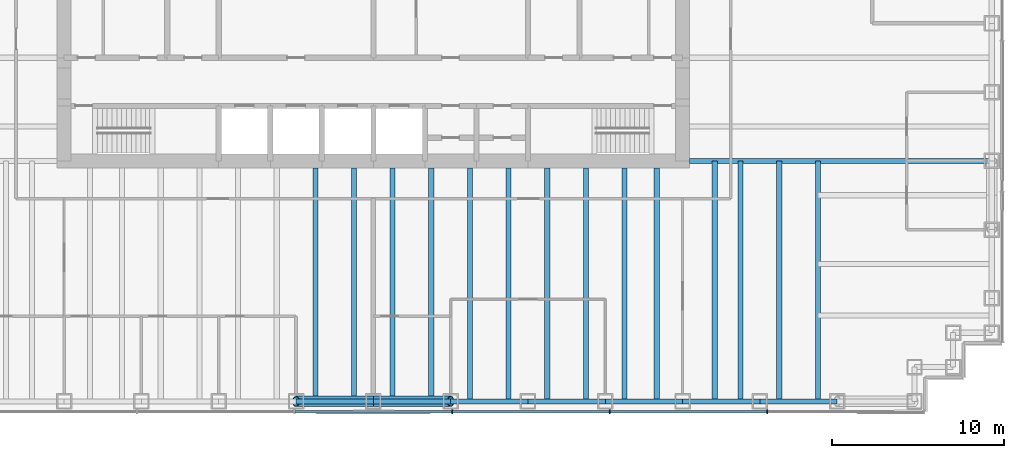
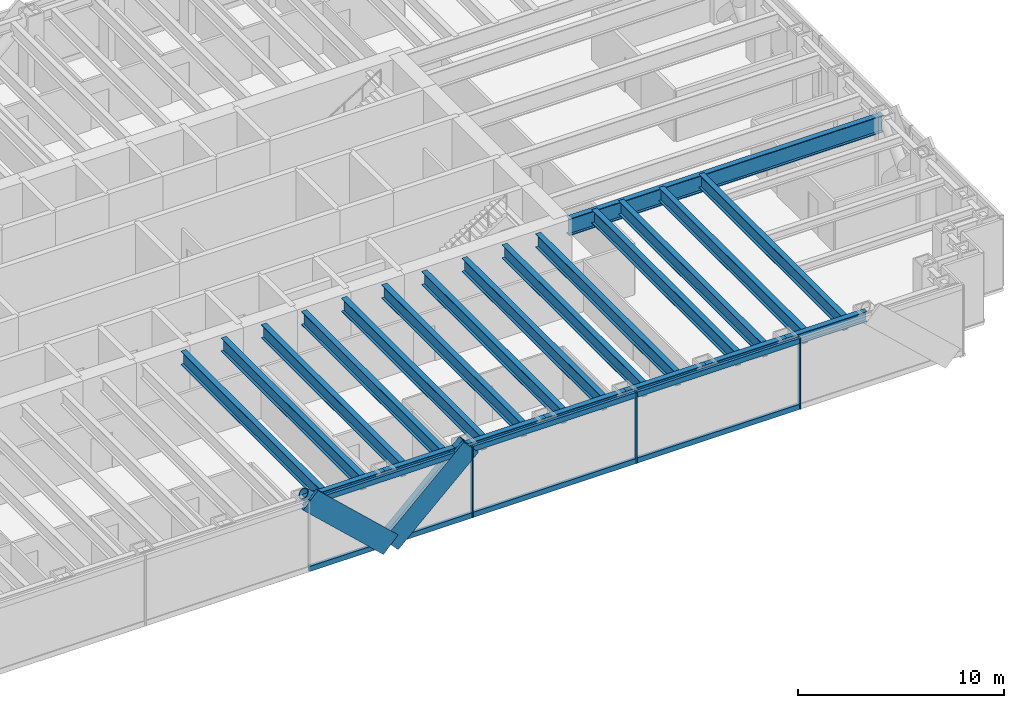
# One storey, part 3 of 18: 22 beams, 13 members, 1 element without a shape of its own.
"""IFC4 building model written with IfcOpenShell, lengths in metres."""

from ifc_helpers import new_model, si_unit, direction, frame, origin, origin_2d, place, context, subcontext, project, spatial, rectangle, hollow_circle, i_section, extrude, material, material_profile, profile_set, type_object, element, aggregate, save


model = new_model("IFC4")

# Units and contexts
model_context = context("Model", 3, precision=1e-05, world=origin(), true_north=direction((0.0, 1.0)))
body_context = subcontext(model_context, "Body", "Model", "MODEL_VIEW")
ifc_project = project(units=[si_unit("LENGTHUNIT", "METRE"), si_unit("AREAUNIT", "SQUARE_METRE"), si_unit("VOLUMEUNIT", "CUBIC_METRE"), si_unit("PLANEANGLEUNIT", "RADIAN"), si_unit("MASSUNIT", "GRAM", prefix="KILO")], contexts=[model_context])

# Site, building, storey
site_placement = place(None, origin())
site = spatial("IfcSite", under=ifc_project, at=site_placement, CompositionType="ELEMENT")
building_placement = place(site_placement, origin())
building = spatial("IfcBuilding", under=site, at=building_placement, Name="Rheinbord Bourse Tower", CompositionType="ELEMENT")
storey_placement = place(building_placement, frame((0.0, 0.0, 244.60009765625)))
storey = spatial("IfcBuildingStorey", under=building, at=storey_placement, Name="L55", CompositionType="ELEMENT", Elevation=244.60009765625)

# Curtain wall, members
ifc_material_1 = material(Name="Dark glass and black aluminium", Category="aluminium")
curtain_wall_type = type_object("IfcCurtainWallType", Name="CW2 DARK GLASS CURTAIN WALL", PredefinedType="USERDEFINED", material=ifc_material_1)
curtain_wall_placement = place(storey_placement, origin())
curtain_wall = element("IfcCurtainWall", 1, at=curtain_wall_placement, inside=storey, type_object=curtain_wall_type, Name="Curtain wall CW2 S L55", ObjectType="UNITISED CURTAIN WALL", PredefinedType="USERDEFINED")
ifc_material_2 = material(Name="Black anodised aluminium", Category="aluminium")
ifc_material_profile_1 = material_profile(ifc_material_2, rectangle(XDim=0.159912109375, YDim=1.2099609375, at=origin_2d()), Name="CW2 DIAGONAL MULLION 1210x160")
ifc_profile_set_1 = profile_set([ifc_material_profile_1], Name="Black anodised aluminium")
member_type_1 = type_object("IfcMemberType", Name="CW2 BLACK DIAGONAL MULLION", PredefinedType="USERDEFINED", material=ifc_profile_set_1)
member_1_placement = place(storey_placement, frame((36.0, 1.39990234375, 0.0), z_axis=(0.73105922506, 0.0, 0.682314010889), x_axis=(0.0, 1.0, 0.0)))
member_1 = element("IfcMember", 2, at=member_1_placement, type_object=member_type_1, Name="CW2 diagonal mullion c", ObjectType="DIAGONAL MULLION", PredefinedType="USERDEFINED", context=body_context, shape_type="SweptSolid", body=[
    extrude(rectangle(XDim=0.159912109375, YDim=1.2099609375, at=origin_2d()), origin(), (0.0, 0.0, 1.0), 6.155517578125),
])
member_2_placement = place(storey_placement, frame((36.0, 1.39990234375, 0.0), z_axis=(-0.73105922506, 0.0, 0.682314010889), x_axis=(0.0, -1.0, 0.0)))
member_2 = element("IfcMember", 3, at=member_2_placement, type_object=member_type_1, Name="CW2 diagonal mullion d", ObjectType="DIAGONAL MULLION", PredefinedType="USERDEFINED", context=body_context, shape_type="SweptSolid", body=[
    extrude(rectangle(XDim=0.159912109375, YDim=1.2099609375, at=origin_2d()), origin(), (0.0, 0.0, 1.0), 6.155517578125),
])
ifc_material_3 = material(Name="Black anodised aluminium", Category="aluminium")
ifc_material_profile_2 = material_profile(ifc_material_3, rectangle(XDim=0.219970703125, YDim=0.070068359375, at=origin_2d()), Name="CW2 MULLION 70x220")
ifc_profile_set_2 = profile_set([ifc_material_profile_2], Name="Black anodised aluminium")
member_type_2 = type_object("IfcMemberType", Name="CW2 BLACK MULLION", PredefinedType="MULLION", material=ifc_profile_set_2)
member_3_placement = place(storey_placement, frame((40.585693359375, 1.39990234375, 0.0), z_axis=(0.0, 0.0, 1.0), x_axis=(0.0, 1.0, 0.0)))
member_3 = element("IfcMember", 4, at=member_3_placement, type_object=member_type_2, Name="CW2 mullion 5", PredefinedType="MULLION", context=body_context, shape_type="SweptSolid", body=[
    extrude(rectangle(XDim=0.219970703125, YDim=0.070068359375, at=origin_2d()), origin(), (0.0, 0.0, 1.0), 4.199951171875),
])
member_4_placement = place(storey_placement, frame((49.757080078125, 1.39990234375, 0.0), z_axis=(0.0, 0.0, 1.0), x_axis=(0.0, 1.0, 0.0)))
member_4 = element("IfcMember", 5, at=member_4_placement, type_object=member_type_2, Name="CW2 mullion 6", PredefinedType="MULLION", context=body_context, shape_type="SweptSolid", body=[
    extrude(rectangle(XDim=0.219970703125, YDim=0.070068359375, at=origin_2d()), origin(), (0.0, 0.0, 1.0), 4.199951171875),
])
member_5_placement = place(storey_placement, frame((58.928466796875, 1.39990234375, 0.0), z_axis=(0.0, 0.0, 1.0), x_axis=(0.0, 1.0, 0.0)))
member_5 = element("IfcMember", 6, at=member_5_placement, type_object=member_type_2, Name="CW2 mullion 7", PredefinedType="MULLION", context=body_context, shape_type="SweptSolid", body=[
    extrude(rectangle(XDim=0.219970703125, YDim=0.070068359375, at=origin_2d()), origin(), (0.0, 0.0, 1.0), 4.199951171875),
])
ifc_material_4 = material(Name="Black anodised aluminium", Category="aluminium")
ifc_material_profile_3 = material_profile(ifc_material_4, rectangle(XDim=0.159912109375, YDim=0.300048828125, at=origin_2d()), Name="CW2 TRANSOM 300x160")
ifc_profile_set_3 = profile_set([ifc_material_profile_3], Name="Black anodised aluminium")
member_type_3 = type_object("IfcMemberType", Name="CW2 BLACK TRANSOM", PredefinedType="USERDEFINED", material=ifc_profile_set_3)
member_6_placement = place(storey_placement, frame((31.44921875, 1.39990234375, 0.14990234375), z_axis=(1.0, 0.0, 0.0), x_axis=(0.0, 1.0, 0.0)))
member_6 = element("IfcMember", 7, at=member_6_placement, type_object=member_type_3, Name="CW2 transom 4.1", ObjectType="TRANSOM", PredefinedType="USERDEFINED", context=body_context, shape_type="SweptSolid", body=[
    extrude(rectangle(XDim=0.159912109375, YDim=0.300048828125, at=origin_2d()), origin(), (0.0, 0.0, 1.0), 9.1015625),
])
member_7_placement = place(storey_placement, frame((31.44921875, 1.39990234375, 4.0498046875), z_axis=(1.0, 0.0, 0.0), x_axis=(0.0, 1.0, 0.0)))
member_7 = element("IfcMember", 8, at=member_7_placement, type_object=member_type_3, Name="CW2 transom 4.2", ObjectType="TRANSOM", PredefinedType="USERDEFINED", context=body_context, shape_type="SweptSolid", body=[
    extrude(rectangle(XDim=0.159912109375, YDim=0.300048828125, at=origin_2d()), origin(), (0.0, 0.0, 1.0), 9.1015625),
])
member_8_placement = place(storey_placement, frame((40.62060546875, 1.39990234375, 0.14990234375), z_axis=(1.0, 0.0, 0.0), x_axis=(0.0, 1.0, 0.0)))
member_8 = element("IfcMember", 9, at=member_8_placement, type_object=member_type_3, Name="CW2 transom 5.1", ObjectType="TRANSOM", PredefinedType="USERDEFINED", context=body_context, shape_type="SweptSolid", body=[
    extrude(rectangle(XDim=0.159912109375, YDim=0.300048828125, at=origin_2d()), origin(), (0.0, 0.0, 1.0), 9.1015625),
])
member_9_placement = place(storey_placement, frame((40.62060546875, 1.39990234375, 4.0498046875), z_axis=(1.0, 0.0, 0.0), x_axis=(0.0, 1.0, 0.0)))
member_9 = element("IfcMember", 10, at=member_9_placement, type_object=member_type_3, Name="CW2 transom 5.2", ObjectType="TRANSOM", PredefinedType="USERDEFINED", context=body_context, shape_type="SweptSolid", body=[
    extrude(rectangle(XDim=0.159912109375, YDim=0.300048828125, at=origin_2d()), origin(), (0.0, 0.0, 1.0), 9.1015625),
])
member_10_placement = place(storey_placement, frame((49.792236328125, 1.39990234375, 0.14990234375), z_axis=(1.0, 0.0, 0.0), x_axis=(0.0, 1.0, 0.0)))
member_10 = element("IfcMember", 11, at=member_10_placement, type_object=member_type_3, Name="CW2 transom 6.1", ObjectType="TRANSOM", PredefinedType="USERDEFINED", context=body_context, shape_type="SweptSolid", body=[
    extrude(rectangle(XDim=0.159912109375, YDim=0.300048828125, at=origin_2d()), origin(), (0.0, 0.0, 1.0), 9.101318359375),
])
member_11_placement = place(storey_placement, frame((49.792236328125, 1.39990234375, 4.0498046875), z_axis=(1.0, 0.0, 0.0), x_axis=(0.0, 1.0, 0.0)))
member_11 = element("IfcMember", 12, at=member_11_placement, type_object=member_type_3, Name="CW2 transom 6.2", ObjectType="TRANSOM", PredefinedType="USERDEFINED", context=body_context, shape_type="SweptSolid", body=[
    extrude(rectangle(XDim=0.159912109375, YDim=0.300048828125, at=origin_2d()), origin(), (0.0, 0.0, 1.0), 9.101318359375),
])
aggregate(curtain_wall, [member_3, member_4, member_5, member_6, member_7, member_8, member_9, member_10, member_11, member_1, member_2])

# Beams
ifc_material_5 = material(Name="Steel S460", Category="steel")
ifc_material_profile_4 = material_profile(ifc_material_5, i_section(OverallWidth=0.300048828125, OverallDepth=0.800048828125, WebThickness=0.017578125, FlangeThickness=0.032958984375, at=origin_2d()), Name="HEB 800")
ifc_profile_set_4 = profile_set([ifc_material_profile_4], Name="Steel S460")
beam_type_1 = type_object("IfcBeamType", Name="FLOOR BEAM HEB 800", PredefinedType="BEAM", material=ifc_profile_set_4)
for number, where, z_axis, x_axis, name in (
    (13, (32.625, 2.0, 3.639892578125), (0.0, 1.0, 0.0), (-1.0, 0.0, 0.0), "Floor beam S-31.5a L56"),
    (14, (34.875, 2.0, 3.639892578125), (0.0, 1.0, 0.0), (-1.0, 0.0, 0.0), "Floor beam S-31.5b L56"),
    (15, (37.125, 2.0, 3.639892578125), (0.0, 1.0, 0.0), (-1.0, 0.0, 0.0), "Floor beam S-36a L56"),
    (16, (39.375, 2.0, 3.639892578125), (0.0, 1.0, 0.0), (-1.0, 0.0, 0.0), "Floor beam S-36b L56"),
    (17, (41.625, 2.0, 3.639892578125), (0.0, 1.0, 0.0), (-1.0, 0.0, 0.0), "Floor beam S-40.5a L56"),
    (18, (43.875, 2.0, 3.639892578125), (0.0, 1.0, 0.0), (-1.0, 0.0, 0.0), "Floor beam S-40.5b L56"),
    (19, (46.125, 2.0, 3.639892578125), (0.0, 1.0, 0.0), (-1.0, 0.0, 0.0), "Floor beam S-45a L56"),
    (20, (48.375, 2.0, 3.639892578125), (0.0, 1.0, 0.0), (-1.0, 0.0, 0.0), "Floor beam S-45b L56"),
    (21, (50.625, 2.0, 3.639892578125), (0.0, 1.0, 0.0), (-1.0, 0.0, 0.0), "Floor beam S-49.5a L56"),
    (22, (52.5, 2.0, 3.639892578125), (0.0, 1.0, 0.0), (-1.0, 0.0, 0.0), "Floor beam S-49.5b L56"),
):
    element("IfcBeam", number, at=place(storey_placement, frame(where, z_axis=z_axis, x_axis=x_axis)), inside=storey, type_object=beam_type_1, Name=name, PredefinedType="BEAM", context=body_context, shape_type="SweptSolid", body=[
        extrude(i_section(OverallWidth=0.300048828125, OverallDepth=0.800048828125, WebThickness=0.017578125, FlangeThickness=0.032958984375, at=origin_2d()), origin(), (0.0, 0.0, 1.0), 13.60009765625),
    ])
for number, where, z_axis, x_axis, name in (
    (23, (55.875, 2.0, 3.639892578125), (0.0, 1.0, 0.0), (-1.0, 0.0, 0.0), "Floor beam S-54a L56"),
    (24, (57.375, 2.0, 3.639892578125), (0.0, 1.0, 0.0), (-1.0, 0.0, 0.0), "Floor beam S-54b L56"),
    (25, (59.625, 2.0, 3.639892578125), (0.0, 1.0, 0.0), (-1.0, 0.0, 0.0), "Floor beam S-58.5a L56"),
    (26, (61.875, 2.0, 3.639892578125), (0.0, 1.0, 0.0), (-1.0, 0.0, 0.0), "Floor beam S-58.5b L56"),
):
    element("IfcBeam", number, at=place(storey_placement, frame(where, z_axis=z_axis, x_axis=x_axis)), inside=storey, type_object=beam_type_1, Name=name, PredefinedType="BEAM", context=body_context, shape_type="SweptSolid", body=[
        extrude(i_section(OverallWidth=0.300048828125, OverallDepth=0.800048828125, WebThickness=0.017578125, FlangeThickness=0.032958984375, at=origin_2d()), origin(), (0.0, 0.0, 1.0), 14.0),
    ])
ifc_material_6 = material(Name="Steel S460", Category="steel")
ifc_material_profile_5 = material_profile(ifc_material_6, i_section(OverallWidth=0.302001953125, OverallDepth=1.008056640625, WebThickness=0.02099609375, FlangeThickness=0.0400390625, at=origin_2d()), Name="HEM 1000")
ifc_profile_set_5 = profile_set([ifc_material_profile_5], Name="Steel S460")
beam_type_2 = type_object("IfcBeamType", Name="GIRDER HEM 1000", PredefinedType="BEAM", material=ifc_profile_set_5)
beam_placement = place(storey_placement, frame((54.39990234375, 16.0, 3.535888671875), z_axis=(1.0, 0.0, 0.0), x_axis=(0.0, 1.0, 0.0)))
element("IfcBeam", 27, at=beam_placement, inside=storey, type_object=beam_type_2, Name="Girder east 16 L56", PredefinedType="BEAM", context=body_context, shape_type="SweptSolid", body=[
    extrude(i_section(OverallWidth=0.302001953125, OverallDepth=1.008056640625, WebThickness=0.02099609375, FlangeThickness=0.0400390625, at=origin_2d()), origin(), (0.0, 0.0, 1.0), 17.60009765625),
])

# Members
ifc_material_7 = material(Name="Steel S460", Category="steel")
ifc_material_profile_6 = material_profile(ifc_material_7, hollow_circle(Radius=0.304931640625, WallThickness=0.0400390625, at=origin_2d()), Name="CHS 610x40")
ifc_profile_set_6 = profile_set([ifc_material_profile_6], Name="Steel S460")
member_type_4 = type_object("IfcMemberType", Name="MEGABRACE CHS 610x40", PredefinedType="BRACE", material=ifc_profile_set_6)
for number, where, z_axis, x_axis, name in (
    (28, (36.0, 2.0, 0.0), (0.73105922506, 0.0, 0.682314010889), (0.0, 1.0, 0.0), "Megabrace S face line c L55"),
    (29, (36.0, 2.0, 0.0), (-0.73105922506, 0.0, 0.682314010889), (0.0, -1.0, 0.0), "Megabrace S face line d L55"),
):
    element("IfcMember", number, at=place(storey_placement, frame(where, z_axis=z_axis, x_axis=x_axis)), inside=storey, type_object=member_type_4, Name=name, PredefinedType="BRACE", context=body_context, shape_type="SweptSolid", body=[
        extrude(hollow_circle(Radius=0.304931640625, WallThickness=0.0400390625, at=origin_2d()), origin(), (0.0, 0.0, 1.0), 6.155517578125),
    ])

# Beams
ifc_material_8 = material(Name="Steel S460", Category="steel")
ifc_material_profile_7 = material_profile(ifc_material_8, i_section(OverallWidth=0.300048828125, OverallDepth=0.60009765625, WebThickness=0.015380859375, FlangeThickness=0.030029296875, at=origin_2d()), Name="HEB 600")
ifc_profile_set_7 = profile_set([ifc_material_profile_7], Name="Steel S460")
beam_type_3 = type_object("IfcBeamType", Name="SPANDREL HEB 600", PredefinedType="SPANDREL", material=ifc_profile_set_7)
for number, where, z_axis, x_axis, name in (
    (30, (31.5, 2.0, 3.739990234375), (1.0, 0.0, 0.0), (0.0, 1.0, 0.0), "Spandrel S-31.5-S-36 under L56"),
    (31, (36.0, 2.0, 3.739990234375), (1.0, 0.0, 0.0), (0.0, 1.0, 0.0), "Spandrel S-36-S-40.5 under L56"),
    (32, (40.5, 2.0, 3.739990234375), (1.0, 0.0, 0.0), (0.0, 1.0, 0.0), "Spandrel S-40.5-S-45 under L56"),
    (33, (45.0, 2.0, 3.739990234375), (1.0, 0.0, 0.0), (0.0, 1.0, 0.0), "Spandrel S-45-S-49.5 under L56"),
    (34, (49.5, 2.0, 3.739990234375), (1.0, 0.0, 0.0), (0.0, 1.0, 0.0), "Spandrel S-49.5-S-54 under L56"),
    (35, (54.0, 2.0, 3.739990234375), (1.0, 0.0, 0.0), (0.0, 1.0, 0.0), "Spandrel S-54-S-58.5 under L56"),
    (36, (58.5, 2.0, 3.739990234375), (1.0, 0.0, 0.0), (0.0, 1.0, 0.0), "Spandrel S-58.5-S-63 under L56"),
):
    element("IfcBeam", number, at=place(storey_placement, frame(where, z_axis=z_axis, x_axis=x_axis)), inside=storey, type_object=beam_type_3, Name=name, PredefinedType="SPANDREL", context=body_context, shape_type="SweptSolid", body=[
        extrude(i_section(OverallWidth=0.300048828125, OverallDepth=0.60009765625, WebThickness=0.015380859375, FlangeThickness=0.030029296875, at=origin_2d()), origin(), (0.0, 0.0, 1.0), 4.5),
    ])

save(model, "model.ifc")
